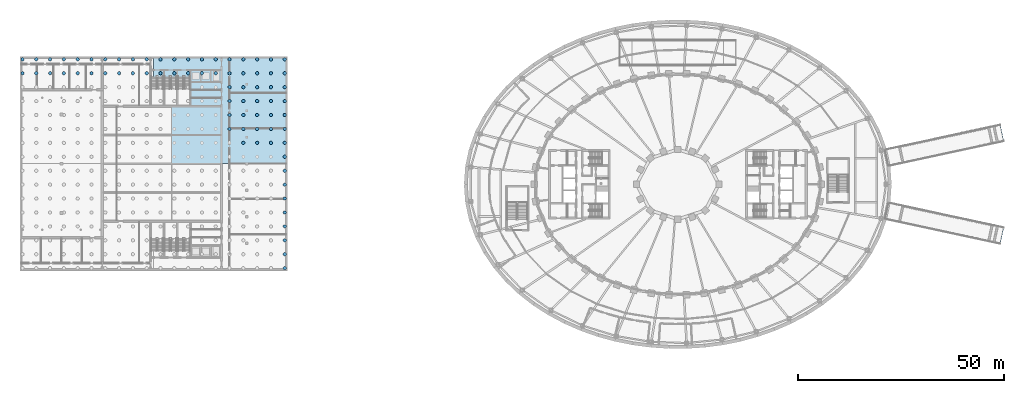
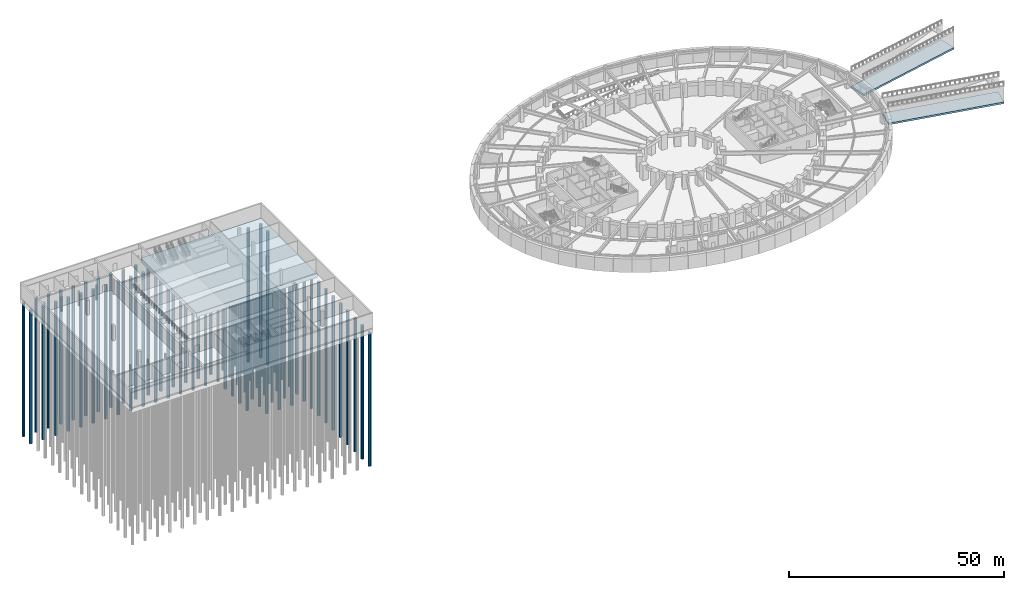
# One storey, part 2 of 32: 73 piles, 3 footings.
"""IFC4 building model written with IfcOpenShell, lengths in metres."""

import ifcopenshell
import ifcopenshell.guid

model = None  # the IFC model being written
_history = None  # IfcOwnerHistory: only IFC2X3 demands one
_inside = {}  # id of a spatial element -> (the spatial element, [elements in it])
_under = {}  # id of a project, library or spatial element -> (it, [spatial elements below it])
_declared = {}  # id of a project -> (the project, [libraries it declares])
_typed = {}  # id of a type object -> (the type object, [elements of that type])
_made_of = {}  # id of a material, layer set ... -> (it, [elements and type objects made of it])


def new_model(schema):
    """Start an empty IFC model of exactly this schema.

    Asked for "IFC4X3", IfcOpenShell would pick the latest addendum, in which some entities
    have other attributes; the version numbers below select the first issue.
    IFC2X3 requires an IfcOwnerHistory on every rooted entity: one is made here for all.
    """
    global model, _history
    if schema == "IFC4X3":
        model = ifcopenshell.file(schema_version=(4, 3, 0, 0))
    else:
        model = ifcopenshell.file(schema=schema)
    _inside.clear()
    _under.clear()
    _declared.clear()
    _typed.clear()
    _made_of.clear()
    _history = None
    if model.schema == "IFC2X3":
        org = make("IfcOrganization", Name="unknown")
        user = make(
            "IfcPersonAndOrganization",
            ThePerson=make("IfcPerson", FamilyName="unknown"),
            TheOrganization=org,
        )
        app = make(
            "IfcApplication",
            ApplicationDeveloper=org,
            Version="unknown",
            ApplicationFullName="unknown",
            ApplicationIdentifier="unknown",
        )
        _history = make(
            "IfcOwnerHistory",
            OwningUser=user,
            OwningApplication=app,
            ChangeAction="ADDED",
            CreationDate=0,
        )
    return model


def make(cls, **values):
    """One entity of the class cls with the attributes given. An attribute that is None is left unset."""
    return model.create_entity(
        cls, **{name: value for name, value in values.items() if value is not None}
    )


def rooted(cls, **values):
    """An entity with a GlobalId (a new one), such as an element, a storey or a relation."""
    return make(cls, GlobalId=ifcopenshell.guid.new(), OwnerHistory=_history, **values)


def si_unit(unit_type, name, prefix=None):
    """IfcSIUnit, for example si_unit("LENGTHUNIT", "METRE", prefix="MILLI")."""
    return make("IfcSIUnit", UnitType=unit_type, Prefix=prefix, Name=name)


def assignment(units):
    """IfcUnitAssignment: the units of a project."""
    return None if units is None else make("IfcUnitAssignment", Units=units)


def point(xyz):
    """IfcCartesianPoint."""
    return None if xyz is None else make("IfcCartesianPoint", Coordinates=xyz)


def direction(xyz):
    """IfcDirection."""
    return None if xyz is None else make("IfcDirection", DirectionRatios=xyz)


def frame(location, z_axis=None, x_axis=None):
    """IfcAxis2Placement3D, a coordinate frame: its origin and axes. An axis left out is left unset."""
    return make(
        "IfcAxis2Placement3D",
        Location=point(location),
        Axis=direction(z_axis),
        RefDirection=direction(x_axis),
    )


def frame_2d(location, x_axis=None):
    """IfcAxis2Placement2D, a coordinate frame in the plane: its origin and x axis."""
    return make(
        "IfcAxis2Placement2D", Location=point(location), RefDirection=direction(x_axis)
    )


def origin():
    """The frame at (0, 0, 0) with its axes left unset."""
    return frame((0.0, 0.0, 0.0))


def origin_2d():
    """The frame at (0, 0) in the plane with its x axis left unset."""
    return frame_2d((0.0, 0.0))


def place(relative_to, where):
    """IfcLocalPlacement: puts the frame where relative to a parent placement (None: the world)."""
    return make(
        "IfcLocalPlacement", PlacementRelTo=relative_to, RelativePlacement=where
    )


def context(
    kind, dimensions, precision=None, world=None, true_north=None, identifier=None
):
    """IfcGeometricRepresentationContext, for example the 3D "Model" context."""
    return make(
        "IfcGeometricRepresentationContext",
        ContextIdentifier=identifier,
        ContextType=kind,
        CoordinateSpaceDimension=dimensions,
        Precision=precision,
        WorldCoordinateSystem=world,
        TrueNorth=true_north,
    )


def subcontext(parent, identifier, kind, view, scale=None):
    """IfcGeometricRepresentationSubContext, for example "Body" below "Model"."""
    return make(
        "IfcGeometricRepresentationSubContext",
        ContextIdentifier=identifier,
        ContextType=kind,
        ParentContext=parent,
        TargetScale=scale,
        TargetView=view,
    )


def project(units=None, contexts=None):
    """IfcProject with its units and contexts."""
    return rooted(
        "IfcProject",
        Name="project",
        RepresentationContexts=contexts,
        UnitsInContext=assignment(units),
    )


def spatial(cls, under=None, at=None, **own):
    """A site, building, storey or space (cls), placed at a placement, below another one or the project."""
    s = rooted(cls, ObjectPlacement=at, **own)
    if under is not None:
        _under.setdefault(under.id(), (under, []))[1].append(s)
    return s


def polyline(points):
    """IfcPolyline through the points."""
    return make("IfcPolyline", Points=[point(p) for p in points])


def profile(cls, at=None, kind="AREA", **sizes):
    """A parametric profile (cls). Its sizes go by their IFC names, for example OverallWidth=200.0."""
    return make(cls, ProfileType=kind, Position=at, **sizes)


def circle(**sizes):
    """IfcCircleProfileDef."""
    return profile("IfcCircleProfileDef", **sizes)


def outline(outer, holes=None, kind="AREA"):
    """IfcArbitraryClosedProfileDef: a profile drawn as a closed curve; with holes, ...WithVoids."""
    if holes is None:
        return make("IfcArbitraryClosedProfileDef", ProfileType=kind, OuterCurve=outer)
    return make(
        "IfcArbitraryProfileDefWithVoids",
        ProfileType=kind,
        OuterCurve=outer,
        InnerCurves=holes,
    )


def extrude(swept, where, along, depth):
    """IfcExtrudedAreaSolid: the profile swept, set in the frame where, extruded along a direction by depth."""
    return make(
        "IfcExtrudedAreaSolid",
        SweptArea=swept,
        Position=where,
        ExtrudedDirection=direction(along),
        Depth=depth,
    )


def shape(context_of_items, identifier, shape_type, items):
    """IfcShapeRepresentation: the items that make up one representation, for example the "Body"."""
    return make(
        "IfcShapeRepresentation",
        ContextOfItems=context_of_items,
        RepresentationIdentifier=identifier,
        RepresentationType=shape_type,
        Items=items,
    )


def material(Name=None, Category=None):
    """IfcMaterial."""
    return make("IfcMaterial", Name=Name, Category=Category)


def layer(
    of_material, thickness, ventilated=None, Name=None, Category=None, Priority=None
):
    """IfcMaterialLayer: one layer of a wall or slab, of a material (None: an air gap)."""
    return make(
        "IfcMaterialLayer",
        Material=of_material,
        LayerThickness=thickness,
        IsVentilated=ventilated,
        Name=Name,
        Category=Category,
        Priority=Priority,
    )


def layer_set(layers, Name=None):
    """IfcMaterialLayerSet."""
    return make("IfcMaterialLayerSet", MaterialLayers=layers, LayerSetName=Name)


def material_profile(
    of_material, cross_section, Name=None, Category=None, Priority=None
):
    """IfcMaterialProfile: a cross section and its material."""
    return make(
        "IfcMaterialProfile",
        Name=Name,
        Material=of_material,
        Profile=cross_section,
        Priority=Priority,
        Category=Category,
    )


def profile_set(profiles, Name=None, composite=None):
    """IfcMaterialProfileSet."""
    return make(
        "IfcMaterialProfileSet",
        Name=Name,
        MaterialProfiles=profiles,
        CompositeProfile=composite,
    )


def made_of(thing, what):
    """Note that an element or type object is made of a material, layer set ...; save() writes the relation."""
    if what is not None:
        _made_of.setdefault(what.id(), (what, []))[1].append(thing)
    return thing


def type_object(cls, material=None, **own):
    """A type object (cls), such as IfcWallType, which elements share."""
    return made_of(rooted(cls, **own), material)


def element(
    cls,
    number,
    at=None,
    inside=None,
    cuts=None,
    type_object=None,
    material=None,
    context=None,
    identifier="Body",
    shape_type=None,
    held_by="IfcProductDefinitionShape",
    body=None,
    shapes=None,
    **own,
):
    """One element of the class cls, such as IfcWall. Its Tag is "e" and its number.

    at: its placement. inside: the storey or other place that contains it. cuts: it is an
    opening in that element (IfcRelVoidsElement). A single representation is given by context,
    identifier, shape_type and body (its items); several are given by shapes. held_by: the class
    of the entity that holds the representations. save() writes the other relations.
    """
    e = rooted(cls, Tag="e%d" % number, ObjectPlacement=at, **own)
    if body is not None:
        shapes = [shape(context, identifier, shape_type, body)]
    if shapes is not None:
        e.Representation = make(held_by, Representations=shapes)
    if inside is not None:
        _inside.setdefault(inside.id(), (inside, []))[1].append(e)
    if cuts is not None:
        rooted(
            "IfcRelVoidsElement", RelatingBuildingElement=cuts, RelatedOpeningElement=e
        )
    if type_object is not None:
        _typed.setdefault(type_object.id(), (type_object, []))[1].append(e)
    return made_of(e, material)


def aggregate(whole, parts):
    """IfcRelAggregates: a whole, such as a stair, and the parts it consists of."""
    return rooted("IfcRelAggregates", RelatingObject=whole, RelatedObjects=parts)


def save(model, path):
    """Write the relations noted so far, then the file.

    IfcRelAggregates (storeys below a building ...), IfcRelContainedInSpatialStructure (elements
    in a storey), IfcRelDefinesByType, IfcRelAssociatesMaterial and IfcRelDeclares: one each for
    every whole, place, type object, material and project.
    """
    for whole, parts in _under.values():
        aggregate(whole, parts)
    for where, things in _inside.values():
        rooted(
            "IfcRelContainedInSpatialStructure",
            RelatedElements=things,
            RelatingStructure=where,
        )
    for kind, things in _typed.values():
        rooted("IfcRelDefinesByType", RelatedObjects=things, RelatingType=kind)
    for what, things in _made_of.values():
        rooted("IfcRelAssociatesMaterial", RelatedObjects=things, RelatingMaterial=what)
    for by, libraries in _declared.values():
        rooted("IfcRelDeclares", RelatingContext=by, RelatedDefinitions=libraries)
    model.write(path)


model = new_model("IFC4")

# Units and contexts
model_context = context("Model", 3, precision=1e-05, world=origin(), true_north=direction((0.0, 1.0)))
body_context = subcontext(model_context, "Body", "Model", "MODEL_VIEW")
ifc_project = project(units=[si_unit("LENGTHUNIT", "METRE"), si_unit("AREAUNIT", "SQUARE_METRE"), si_unit("VOLUMEUNIT", "CUBIC_METRE"), si_unit("PLANEANGLEUNIT", "RADIAN"), si_unit("MASSUNIT", "GRAM", prefix="KILO")], contexts=[model_context])

# Site, building, storey
site_placement = place(None, origin())
site = spatial("IfcSite", under=ifc_project, at=site_placement, CompositionType="ELEMENT")
building_placement = place(site_placement, origin())
building = spatial("IfcBuilding", under=site, at=building_placement, Name="Noorbagh Ring Tower", CompositionType="ELEMENT")
storey_placement = place(building_placement, frame((0.0, 0.0, -4.199951171875)))
storey = spatial("IfcBuildingStorey", under=building, at=storey_placement, Name="B1", CompositionType="ELEMENT", Elevation=-4.199951171875)

# Footings
ifc_material_1 = material(Name="Concrete C50/60", Category="concrete")
ifc_layer_1 = layer(ifc_material_1, 0.5)
ifc_layer_set_1 = layer_set([ifc_layer_1], Name="Concrete C50/60")
footing_type_1 = type_object("IfcFootingType", Name="GND-STRIP", PredefinedType="STRIP_FOOTING", material=ifc_layer_set_1)
footing_1_placement = place(storey_placement, frame((0.0, 0.0, -0.830078125)))
element("IfcFooting", 1, at=footing_1_placement, inside=storey, type_object=footing_type_1, Name="Street ramp entry strip footing", PredefinedType="STRIP_FOOTING", context=body_context, shape_type="SweptSolid", body=[
    extrude(outline(polyline([(51.6875, 4.380126953125), (79.3525390625, 10.341064453125), (78.42578125, 14.642333984375), (50.7607421875, 8.681396484375), (51.6875, 4.380126953125)])), origin(), (0.0, 0.0, 1.0), 0.5),
])
footing_2_placement = place(storey_placement, frame((0.0, 0.0, -0.830078125)))
element("IfcFooting", 2, at=footing_2_placement, inside=storey, type_object=footing_type_1, Name="Street ramp exit strip footing", PredefinedType="STRIP_FOOTING", context=body_context, shape_type="SweptSolid", body=[
    extrude(outline(polyline([(50.7607421875, -8.681396484375), (78.42578125, -14.642333984375), (79.3525390625, -10.341064453125), (51.6875, -4.380126953125), (50.7607421875, -8.681396484375)])), origin(), (0.0, 0.0, 1.0), 0.5),
])

# Piles
ifc_material_2 = material(Name="Concrete C50/60", Category="concrete")
ifc_material_profile = material_profile(ifc_material_2, circle(Radius=0.39990234375, at=origin_2d()), Name="PILE800")
ifc_profile_set = profile_set([ifc_material_profile], Name="Concrete C50/60")
pile_type = type_object("IfcPileType", Name="TH-PILE", PredefinedType="BORED", material=ifc_profile_set)
for number, where, z_axis, x_axis, name in (
    (3, (-159.39990234375, 27.01318359375, -1.400146484375), (0.0, 0.0, -1.0), (1.0, 0.0, 0.0), "Theatre pile"),
    (4, (-159.39990234375, 30.39990234375, -1.400146484375), (0.0, 0.0, -1.0), (1.0, 0.0, 0.0), "Theatre pile"),
    (5, (-156.0419921875, 27.01318359375, -1.400146484375), (0.0, 0.0, -1.0), (1.0, 0.0, 0.0), "Theatre pile"),
    (6, (-156.0419921875, 30.39990234375, -1.400146484375), (0.0, 0.0, -1.0), (1.0, 0.0, 0.0), "Theatre pile"),
    (7, (-152.68408203125, 27.01318359375, -1.400146484375), (0.0, 0.0, -1.0), (1.0, 0.0, 0.0), "Theatre pile"),
    (8, (-152.68408203125, 30.39990234375, -1.400146484375), (0.0, 0.0, -1.0), (1.0, 0.0, 0.0), "Theatre pile"),
    (9, (-149.326416015625, 27.01318359375, -1.400146484375), (0.0, 0.0, -1.0), (1.0, 0.0, 0.0), "Theatre pile"),
    (10, (-149.326416015625, 30.39990234375, -1.400146484375), (0.0, 0.0, -1.0), (1.0, 0.0, 0.0), "Theatre pile"),
    (11, (-145.968505859375, 27.01318359375, -1.400146484375), (0.0, 0.0, -1.0), (1.0, 0.0, 0.0), "Theatre pile"),
    (12, (-145.968505859375, 30.39990234375, -1.400146484375), (0.0, 0.0, -1.0), (1.0, 0.0, 0.0), "Theatre pile"),
    (13, (-142.610595703125, 27.01318359375, -1.400146484375), (0.0, 0.0, -1.0), (1.0, 0.0, 0.0), "Theatre pile"),
    (14, (-142.610595703125, 30.39990234375, -1.400146484375), (0.0, 0.0, -1.0), (1.0, 0.0, 0.0), "Theatre pile"),
    (15, (-139.252685546875, 27.01318359375, -1.400146484375), (0.0, 0.0, -1.0), (1.0, 0.0, 0.0), "Theatre pile"),
    (16, (-139.252685546875, 30.39990234375, -1.400146484375), (0.0, 0.0, -1.0), (1.0, 0.0, 0.0), "Theatre pile"),
    (17, (-135.894775390625, 27.01318359375, -1.400146484375), (0.0, 0.0, -1.0), (1.0, 0.0, 0.0), "Theatre pile"),
    (18, (-135.894775390625, 30.39990234375, -1.400146484375), (0.0, 0.0, -1.0), (1.0, 0.0, 0.0), "Theatre pile"),
    (19, (-132.536865234375, 27.01318359375, -1.400146484375), (0.0, 0.0, -1.0), (1.0, 0.0, 0.0), "Theatre pile"),
    (20, (-132.536865234375, 30.39990234375, -1.400146484375), (0.0, 0.0, -1.0), (1.0, 0.0, 0.0), "Theatre pile"),
    (21, (-129.178955078125, 27.01318359375, -1.400146484375), (0.0, 0.0, -1.0), (1.0, 0.0, 0.0), "Theatre pile"),
    (22, (-129.178955078125, 30.39990234375, -1.400146484375), (0.0, 0.0, -1.0), (1.0, 0.0, 0.0), "Theatre pile"),
    (23, (-125.821044921875, 27.01318359375, -1.400146484375), (0.0, 0.0, -1.0), (1.0, 0.0, 0.0), "Theatre pile"),
    (24, (-125.821044921875, 30.39990234375, -1.400146484375), (0.0, 0.0, -1.0), (1.0, 0.0, 0.0), "Theatre pile"),
    (25, (-122.463134765625, 27.01318359375, -1.400146484375), (0.0, 0.0, -1.0), (1.0, 0.0, 0.0), "Theatre pile"),
    (26, (-122.463134765625, 30.39990234375, -1.400146484375), (0.0, 0.0, -1.0), (1.0, 0.0, 0.0), "Theatre pile"),
    (27, (-119.105224609375, 27.01318359375, -1.400146484375), (0.0, 0.0, -1.0), (1.0, 0.0, 0.0), "Theatre pile"),
    (28, (-119.105224609375, 30.39990234375, -1.400146484375), (0.0, 0.0, -1.0), (1.0, 0.0, 0.0), "Theatre pile"),
    (29, (-115.747314453125, 27.01318359375, -1.400146484375), (0.0, 0.0, -1.0), (1.0, 0.0, 0.0), "Theatre pile"),
    (30, (-115.747314453125, 30.39990234375, -1.400146484375), (0.0, 0.0, -1.0), (1.0, 0.0, 0.0), "Theatre pile"),
    (31, (-112.389404296875, 27.01318359375, -1.400146484375), (0.0, 0.0, -1.0), (1.0, 0.0, 0.0), "Theatre pile"),
    (32, (-112.389404296875, 30.39990234375, -1.400146484375), (0.0, 0.0, -1.0), (1.0, 0.0, 0.0), "Theatre pile"),
    (33, (-109.031494140625, 13.466796875, -1.400146484375), (0.0, 0.0, -1.0), (1.0, 0.0, 0.0), "Theatre pile"),
    (34, (-109.031494140625, 16.853271484375, -1.400146484375), (0.0, 0.0, -1.0), (1.0, 0.0, 0.0), "Theatre pile"),
    (35, (-109.031494140625, 20.239990234375, -1.400146484375), (0.0, 0.0, -1.0), (1.0, 0.0, 0.0), "Theatre pile"),
    (36, (-109.031494140625, 23.626708984375, -1.400146484375), (0.0, 0.0, -1.0), (1.0, 0.0, 0.0), "Theatre pile"),
    (37, (-109.031494140625, 27.01318359375, -1.400146484375), (0.0, 0.0, -1.0), (1.0, 0.0, 0.0), "Theatre pile"),
    (38, (-109.031494140625, 30.39990234375, -1.400146484375), (0.0, 0.0, -1.0), (1.0, 0.0, 0.0), "Theatre pile"),
    (39, (-105.673583984375, 10.080078125, -1.400146484375), (0.0, 0.0, -1.0), (1.0, 0.0, 0.0), "Theatre pile"),
    (40, (-105.673583984375, 13.466796875, -1.400146484375), (0.0, 0.0, -1.0), (1.0, 0.0, 0.0), "Theatre pile"),
    (41, (-105.673583984375, 16.853271484375, -1.400146484375), (0.0, 0.0, -1.0), (1.0, 0.0, 0.0), "Theatre pile"),
    (42, (-105.673583984375, 20.239990234375, -1.400146484375), (0.0, 0.0, -1.0), (1.0, 0.0, 0.0), "Theatre pile"),
    (43, (-105.673583984375, 23.626708984375, -1.400146484375), (0.0, 0.0, -1.0), (1.0, 0.0, 0.0), "Theatre pile"),
    (44, (-105.673583984375, 27.01318359375, -1.400146484375), (0.0, 0.0, -1.0), (1.0, 0.0, 0.0), "Theatre pile"),
    (45, (-105.673583984375, 30.39990234375, -1.400146484375), (0.0, 0.0, -1.0), (1.0, 0.0, 0.0), "Theatre pile"),
    (46, (-102.31591796875, 10.080078125, -1.400146484375), (0.0, 0.0, -1.0), (1.0, 0.0, 0.0), "Theatre pile"),
    (47, (-102.31591796875, 13.466796875, -1.400146484375), (0.0, 0.0, -1.0), (1.0, 0.0, 0.0), "Theatre pile"),
    (48, (-102.31591796875, 16.853271484375, -1.400146484375), (0.0, 0.0, -1.0), (1.0, 0.0, 0.0), "Theatre pile"),
    (49, (-102.31591796875, 20.239990234375, -1.400146484375), (0.0, 0.0, -1.0), (1.0, 0.0, 0.0), "Theatre pile"),
    (50, (-102.31591796875, 23.626708984375, -1.400146484375), (0.0, 0.0, -1.0), (1.0, 0.0, 0.0), "Theatre pile"),
    (51, (-102.31591796875, 27.01318359375, -1.400146484375), (0.0, 0.0, -1.0), (1.0, 0.0, 0.0), "Theatre pile"),
    (52, (-102.31591796875, 30.39990234375, -1.400146484375), (0.0, 0.0, -1.0), (1.0, 0.0, 0.0), "Theatre pile"),
    (53, (-98.9580078125, 10.080078125, -1.400146484375), (0.0, 0.0, -1.0), (1.0, 0.0, 0.0), "Theatre pile"),
    (54, (-98.9580078125, 13.466796875, -1.400146484375), (0.0, 0.0, -1.0), (1.0, 0.0, 0.0), "Theatre pile"),
    (55, (-98.9580078125, 16.853271484375, -1.400146484375), (0.0, 0.0, -1.0), (1.0, 0.0, 0.0), "Theatre pile"),
    (56, (-98.9580078125, 20.239990234375, -1.400146484375), (0.0, 0.0, -1.0), (1.0, 0.0, 0.0), "Theatre pile"),
    (57, (-98.9580078125, 23.626708984375, -1.400146484375), (0.0, 0.0, -1.0), (1.0, 0.0, 0.0), "Theatre pile"),
    (58, (-98.9580078125, 27.01318359375, -1.400146484375), (0.0, 0.0, -1.0), (1.0, 0.0, 0.0), "Theatre pile"),
    (59, (-98.9580078125, 30.39990234375, -1.400146484375), (0.0, 0.0, -1.0), (1.0, 0.0, 0.0), "Theatre pile"),
    (60, (-95.60009765625, -20.39990234375, -1.400146484375), (0.0, 0.0, -1.0), (1.0, 0.0, 0.0), "Theatre pile"),
    (61, (-95.60009765625, -17.01318359375, -1.400146484375), (0.0, 0.0, -1.0), (1.0, 0.0, 0.0), "Theatre pile"),
    (62, (-95.60009765625, -13.626708984375, -1.400146484375), (0.0, 0.0, -1.0), (1.0, 0.0, 0.0), "Theatre pile"),
    (63, (-95.60009765625, -10.239990234375, -1.400146484375), (0.0, 0.0, -1.0), (1.0, 0.0, 0.0), "Theatre pile"),
    (64, (-95.60009765625, -6.853271484375, -1.400146484375), (0.0, 0.0, -1.0), (1.0, 0.0, 0.0), "Theatre pile"),
    (65, (-95.60009765625, -3.466796875, -1.400146484375), (0.0, 0.0, -1.0), (1.0, 0.0, 0.0), "Theatre pile"),
    (66, (-95.60009765625, -0.080078125, -1.400146484375), (0.0, 0.0, -1.0), (1.0, 0.0, 0.0), "Theatre pile"),
    (67, (-95.60009765625, 3.306640625, -1.400146484375), (0.0, 0.0, -1.0), (1.0, 0.0, 0.0), "Theatre pile"),
    (68, (-95.60009765625, 6.693359375, -1.400146484375), (0.0, 0.0, -1.0), (1.0, 0.0, 0.0), "Theatre pile"),
    (69, (-95.60009765625, 10.080078125, -1.400146484375), (0.0, 0.0, -1.0), (1.0, 0.0, 0.0), "Theatre pile"),
    (70, (-95.60009765625, 13.466796875, -1.400146484375), (0.0, 0.0, -1.0), (1.0, 0.0, 0.0), "Theatre pile"),
    (71, (-95.60009765625, 16.853271484375, -1.400146484375), (0.0, 0.0, -1.0), (1.0, 0.0, 0.0), "Theatre pile"),
    (72, (-95.60009765625, 20.239990234375, -1.400146484375), (0.0, 0.0, -1.0), (1.0, 0.0, 0.0), "Theatre pile"),
    (73, (-95.60009765625, 23.626708984375, -1.400146484375), (0.0, 0.0, -1.0), (1.0, 0.0, 0.0), "Theatre pile"),
    (74, (-95.60009765625, 27.01318359375, -1.400146484375), (0.0, 0.0, -1.0), (1.0, 0.0, 0.0), "Theatre pile"),
    (75, (-95.60009765625, 30.39990234375, -1.400146484375), (0.0, 0.0, -1.0), (1.0, 0.0, 0.0), "Theatre pile"),
):
    element("IfcPile", number, at=place(storey_placement, frame(where, z_axis=z_axis, x_axis=x_axis)), inside=storey, type_object=pile_type, Name=name, PredefinedType="BORED", context=body_context, shape_type="SweptSolid", body=[
        extrude(circle(Radius=0.39990234375, at=origin_2d()), origin(), (0.0, 0.0, 1.0), 38.0),
    ])

# Footing
ifc_material_3 = material(Name="Concrete C50/60", Category="concrete")
ifc_layer_2 = layer(ifc_material_3, 1.199951171875)
ifc_layer_set_2 = layer_set([ifc_layer_2], Name="Concrete C50/60")
footing_type_2 = type_object("IfcFootingType", Name="TH-RAFT", PredefinedType="USERDEFINED", material=ifc_layer_set_2)
footing_3_placement = place(storey_placement, frame((0.0, 0.0, -1.5)))
element("IfcFooting", 76, at=footing_3_placement, inside=storey, type_object=footing_type_2, Name="Theatre raft panel 4", ObjectType="RAFT", PredefinedType="USERDEFINED", context=body_context, shape_type="SweptSolid", body=[
    extrude(outline(polyline([(-127.5, 5.0), (-95.0, 5.0), (-95.0, 31.0), (-127.5, 31.0), (-127.5, 5.0)])), origin(), (0.0, 0.0, 1.0), 1.199951171875),
])

save(model, "model.ifc")
